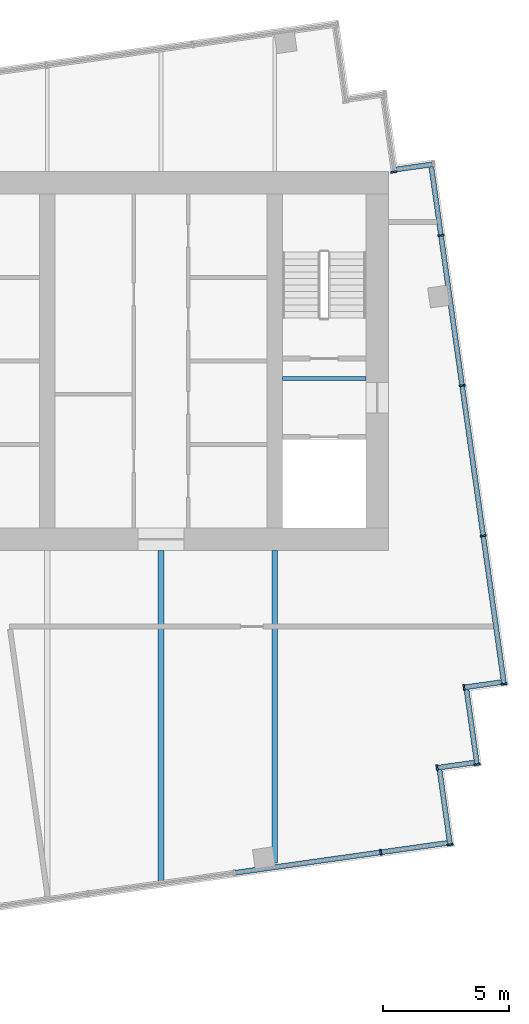
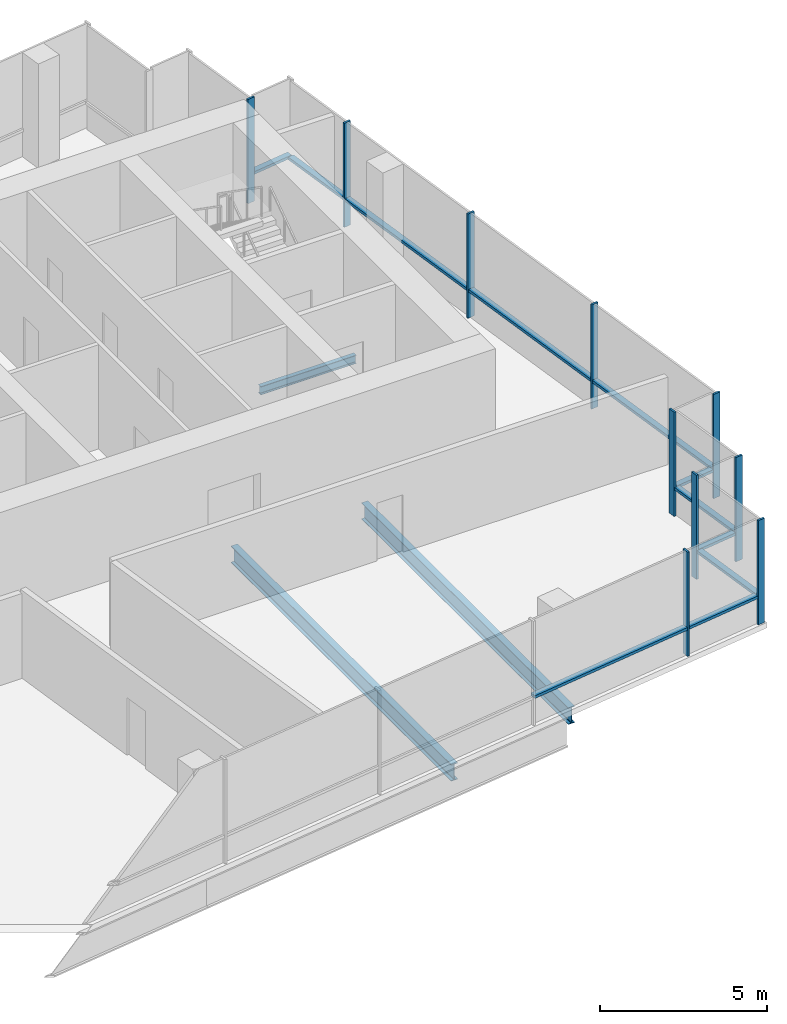
# One storey, part 4 of 10: 21 members, 3 beams, 8 elements without a shape of their own.
"""IFC4 building model written with IfcOpenShell, lengths in metres."""

from ifc_helpers import new_model, si_unit, direction, frame, origin, origin_2d, place, context, subcontext, project, spatial, rectangle, i_section, extrude, material, layer, layer_set, material_profile, profile_set, type_object, element, aggregate, save


model = new_model("IFC4")

# Units and contexts
model_context = context("Model", 3, precision=1e-05, world=origin(), true_north=direction((0.0, 1.0)))
body_context = subcontext(model_context, "Body", "Model", "MODEL_VIEW")
ifc_project = project(units=[si_unit("LENGTHUNIT", "METRE"), si_unit("AREAUNIT", "SQUARE_METRE"), si_unit("VOLUMEUNIT", "CUBIC_METRE"), si_unit("PLANEANGLEUNIT", "RADIAN"), si_unit("MASSUNIT", "GRAM", prefix="KILO")], contexts=[model_context])

# Site, building, storey
site_placement = place(None, origin())
site = spatial("IfcSite", under=ifc_project, at=site_placement, CompositionType="ELEMENT")
building_placement = place(site_placement, origin())
building = spatial("IfcBuilding", under=site, at=building_placement, Name="Rattan Terrace Tower", CompositionType="ELEMENT")
storey_placement = place(building_placement, frame((0.0, 0.0, 300.300048828125)))
storey = spatial("IfcBuildingStorey", under=building, at=storey_placement, Name="C03", CompositionType="ELEMENT", Elevation=300.300048828125)

# Beams
ifc_material_1 = material(Name="Steel S355", Category="steel")
ifc_material_profile_1 = material_profile(ifc_material_1, i_section(OverallWidth=0.14990234375, OverallDepth=0.300048828125, WebThickness=0.007080078125, FlangeThickness=0.0107421875, FilletRadius=0.014892578125, at=origin_2d()), Name="IPE 300")
ifc_profile_set_1 = profile_set([ifc_material_profile_1], Name="Steel S355")
beam_type_1 = type_object("IfcBeamType", Name="Frame floor beam IPE 300", PredefinedType="JOIST", material=ifc_profile_set_1)
beam_1_placement = place(storey_placement, frame((13.800048828125, -0.695068359375, -0.35009765625), z_axis=(1.0, 0.0, 0.0), x_axis=(0.0, 1.0, 0.0)))
element("IfcBeam", 1, at=beam_1_placement, inside=storey, type_object=beam_type_1, Name="bm-C03-002", PredefinedType="JOIST", context=body_context, shape_type="SweptSolid", body=[
    extrude(i_section(OverallWidth=0.14990234375, OverallDepth=0.300048828125, WebThickness=0.007080078125, FlangeThickness=0.0107421875, FilletRadius=0.014892578125, at=origin_2d()), origin(), (0.0, 0.0, 1.0), 3.300048828125),
])
ifc_material_2 = material(Name="Steel S355", Category="steel")
ifc_material_profile_2 = material_profile(ifc_material_2, i_section(OverallWidth=0.219970703125, OverallDepth=0.60009765625, WebThickness=0.011962890625, FlangeThickness=0.01904296875, FilletRadius=0.02392578125, at=origin_2d()), Name="IPE 600")
ifc_profile_set_2 = profile_set([ifc_material_profile_2], Name="Steel S355")
beam_type_2 = type_object("IfcBeamType", Name="Frame floor beam IPE 600", PredefinedType="JOIST", material=ifc_profile_set_2)
beam_2_placement = place(storey_placement, frame((13.5, -19.846923828125, -0.5), z_axis=(0.0, 1.0, 0.0), x_axis=(-1.0, 0.0, 0.0)))
element("IfcBeam", 2, at=beam_2_placement, inside=storey, type_object=beam_type_2, Name="bm-C03-008", PredefinedType="JOIST", context=body_context, shape_type="SweptSolid", body=[
    extrude(i_section(OverallWidth=0.219970703125, OverallDepth=0.60009765625, WebThickness=0.011962890625, FlangeThickness=0.01904296875, FilletRadius=0.02392578125, at=origin_2d()), origin(), (0.0, 0.0, 1.0), 12.346923828125),
])
ifc_material_3 = material(Name="Steel S355", Category="steel")
ifc_material_profile_3 = material_profile(ifc_material_3, i_section(OverallWidth=0.22412109375, OverallDepth=0.610107421875, WebThickness=0.014892578125, FlangeThickness=0.02392578125, FilletRadius=0.02392578125, at=origin_2d()), Name="IPE O 600")
ifc_profile_set_3 = profile_set([ifc_material_profile_3], Name="Steel S355")
beam_type_3 = type_object("IfcBeamType", Name="Frame floor beam IPE O 600", PredefinedType="JOIST", material=ifc_profile_set_3)
beam_3_placement = place(storey_placement, frame((9.0, -20.64501953125, -0.505126953125), z_axis=(0.0, 1.0, 0.0), x_axis=(-1.0, 0.0, 0.0)))
element("IfcBeam", 3, at=beam_3_placement, inside=storey, type_object=beam_type_3, Name="bm-C03-007", PredefinedType="JOIST", context=body_context, shape_type="SweptSolid", body=[
    extrude(i_section(OverallWidth=0.22412109375, OverallDepth=0.610107421875, WebThickness=0.014892578125, FlangeThickness=0.02392578125, FilletRadius=0.02392578125, at=origin_2d()), origin(), (0.0, 0.0, 1.0), 13.14501953125),
])

# Curtain wall, member
ifc_material_4 = material(Name="Aluminium and laminated glass", Category="aluminium")
ifc_layer = layer(ifc_material_4, 0.239990234375)
ifc_layer_set = layer_set([ifc_layer], Name="Lantern Stick Curtain Wall")
curtain_wall_type = type_object("IfcCurtainWallType", Name="Lantern Stick Curtain Wall", PredefinedType="NOTDEFINED", material=ifc_layer_set)
curtain_wall_1_placement = place(storey_placement, origin())
curtain_wall_1 = element("IfcCurtainWall", 4, at=curtain_wall_1_placement, inside=storey, type_object=curtain_wall_type, Name="Lantern curtain wall C03-6", PredefinedType="NOTDEFINED")
ifc_material_5 = material(Name="Aluminium", Category="aluminium")
ifc_material_profile_4 = material_profile(ifc_material_5, rectangle(XDim=0.070068359375, YDim=0.239990234375, at=origin_2d()), Name="Aluminium 70x240")
ifc_profile_set_4 = profile_set([ifc_material_profile_4], Name="Aluminium")
member_type_1 = type_object("IfcMemberType", Name="Lantern CW Mullion 70x240", PredefinedType="MULLION", material=ifc_profile_set_4)
member_1_placement = place(storey_placement, frame((17.69189453125, -19.433837890625, 0.0), z_axis=(0.0, 0.0, 1.0), x_axis=(0.990266952226, 0.13918104515, 0.0)))
member_1 = element("IfcMember", 5, at=member_1_placement, type_object=member_type_1, Name="Mullion cwl-C03-006.7", PredefinedType="MULLION", context=body_context, shape_type="SweptSolid", body=[
    extrude(rectangle(XDim=0.070068359375, YDim=0.239990234375, at=origin_2d()), origin(), (0.0, 0.0, 1.0), 3.800048828125),
])

curtain_wall_2_placement = place(storey_placement, origin())
curtain_wall_2 = element("IfcCurtainWall", 6, at=curtain_wall_2_placement, inside=storey, type_object=curtain_wall_type, Name="Lantern curtain wall C03-7", PredefinedType="NOTDEFINED")
member_2_placement = place(storey_placement, frame((20.431884765625, -19.134521484375, 0.0), z_axis=(0.0, 0.0, 1.0), x_axis=(-0.139040257974, 0.990286729519, 0.0)))
member_2 = element("IfcMember", 7, at=member_2_placement, type_object=member_type_1, Name="Mullion cwl-C03-007.1", PredefinedType="MULLION", context=body_context, shape_type="SweptSolid", body=[
    extrude(rectangle(XDim=0.070068359375, YDim=0.239990234375, at=origin_2d()), origin(), (0.0, 0.0, 1.0), 3.800048828125),
])

curtain_wall_3_placement = place(storey_placement, origin())
curtain_wall_3 = element("IfcCurtainWall", 8, at=curtain_wall_3_placement, inside=storey, type_object=curtain_wall_type, Name="Lantern curtain wall C03-8", PredefinedType="NOTDEFINED")
member_3_placement = place(storey_placement, frame((19.9189453125, -16.09228515625, 0.0), z_axis=(0.0, 0.0, 1.0), x_axis=(0.990227803001, 0.139459306479, 0.0)))
member_3 = element("IfcMember", 9, at=member_3_placement, type_object=member_type_1, Name="Mullion cwl-C03-008.1", PredefinedType="MULLION", context=body_context, shape_type="SweptSolid", body=[
    extrude(rectangle(XDim=0.070068359375, YDim=0.239990234375, at=origin_2d()), origin(), (0.0, 0.0, 1.0), 3.800048828125),
])

curtain_wall_4_placement = place(storey_placement, origin())
curtain_wall_4 = element("IfcCurtainWall", 10, at=curtain_wall_4_placement, inside=storey, type_object=curtain_wall_type, Name="Lantern curtain wall C03-9", PredefinedType="NOTDEFINED")
member_4_placement = place(storey_placement, frame((21.498779296875, -15.95556640625, 0.0), z_axis=(0.0, 0.0, 1.0), x_axis=(-0.139367219175, 0.990240767803, 0.0)))
member_4 = element("IfcMember", 11, at=member_4_placement, type_object=member_type_1, Name="Mullion cwl-C03-009.1", PredefinedType="MULLION", context=body_context, shape_type="SweptSolid", body=[
    extrude(rectangle(XDim=0.070068359375, YDim=0.239990234375, at=origin_2d()), origin(), (0.0, 0.0, 1.0), 3.800048828125),
])

curtain_wall_5_placement = place(storey_placement, origin())
curtain_wall_5 = element("IfcCurtainWall", 12, at=curtain_wall_5_placement, inside=storey, type_object=curtain_wall_type, Name="Lantern curtain wall C03-10", PredefinedType="NOTDEFINED")
member_5_placement = place(storey_placement, frame((20.98486328125, -12.9130859375, 0.0), z_axis=(0.0, 0.0, 1.0), x_axis=(0.99025370695, 0.139275252184, 0.0)))
member_5 = element("IfcMember", 13, at=member_5_placement, type_object=member_type_1, Name="Mullion cwl-C03-010.1", PredefinedType="MULLION", context=body_context, shape_type="SweptSolid", body=[
    extrude(rectangle(XDim=0.070068359375, YDim=0.239990234375, at=origin_2d()), origin(), (0.0, 0.0, 1.0), 3.800048828125),
])

# Curtain wall, members
curtain_wall_6_placement = place(storey_placement, origin())
curtain_wall_6 = element("IfcCurtainWall", 14, at=curtain_wall_6_placement, inside=storey, type_object=curtain_wall_type, Name="Lantern curtain wall C03-11", PredefinedType="NOTDEFINED")
member_6_placement = place(storey_placement, frame((22.56689453125, -12.776611328125, 0.0), z_axis=(0.0, 0.0, 1.0), x_axis=(-0.139187707455, 0.990266015823, 0.0)))
member_6 = element("IfcMember", 15, at=member_6_placement, type_object=member_type_1, Name="Mullion cwl-C03-011.1", PredefinedType="MULLION", context=body_context, shape_type="SweptSolid", body=[
    extrude(rectangle(XDim=0.070068359375, YDim=0.239990234375, at=origin_2d()), origin(), (0.0, 0.0, 1.0), 3.800048828125),
])
member_7_placement = place(storey_placement, frame((21.74365234375, -6.919189453125, 0.0), z_axis=(0.0, 0.0, 1.0), x_axis=(-0.139187707455, 0.990266015823, 0.0)))
member_7 = element("IfcMember", 16, at=member_7_placement, type_object=member_type_1, Name="Mullion cwl-C03-011.2", PredefinedType="MULLION", context=body_context, shape_type="SweptSolid", body=[
    extrude(rectangle(XDim=0.070068359375, YDim=0.239990234375, at=origin_2d()), origin(), (0.0, 0.0, 1.0), 3.800048828125),
])
member_8_placement = place(storey_placement, frame((20.908447265625, -0.9775390625, 0.0), z_axis=(0.0, 0.0, 1.0), x_axis=(-0.139187707455, 0.990266015823, 0.0)))
member_8 = element("IfcMember", 17, at=member_8_placement, type_object=member_type_1, Name="Mullion cwl-C03-011.3", PredefinedType="MULLION", context=body_context, shape_type="SweptSolid", body=[
    extrude(rectangle(XDim=0.070068359375, YDim=0.239990234375, at=origin_2d()), origin(), (0.0, 0.0, 1.0), 3.800048828125),
])
member_9_placement = place(storey_placement, frame((20.0732421875, 4.964111328125, 0.0), z_axis=(0.0, 0.0, 1.0), x_axis=(-0.139187707455, 0.990266015823, 0.0)))
member_9 = element("IfcMember", 18, at=member_9_placement, type_object=member_type_1, Name="Mullion cwl-C03-011.4", PredefinedType="MULLION", context=body_context, shape_type="SweptSolid", body=[
    extrude(rectangle(XDim=0.070068359375, YDim=0.239990234375, at=origin_2d()), origin(), (0.0, 0.0, 1.0), 3.800048828125),
])

# Curtain wall, member
curtain_wall_7_placement = place(storey_placement, origin())
curtain_wall_7 = element("IfcCurtainWall", 19, at=curtain_wall_7_placement, inside=storey, type_object=curtain_wall_type, Name="Lantern curtain wall C03-13", PredefinedType="NOTDEFINED")
member_10_placement = place(storey_placement, frame((18.207275390625, 7.473876953125, 0.0), z_axis=(0.0, 0.0, 1.0), x_axis=(-0.139555918709, 0.990214191755, 0.0)))
member_10 = element("IfcMember", 20, at=member_10_placement, type_object=member_type_1, Name="Mullion cwl-C03-013.1", PredefinedType="MULLION", context=body_context, shape_type="SweptSolid", body=[
    extrude(rectangle(XDim=0.070068359375, YDim=0.239990234375, at=origin_2d()), origin(), (0.0, 0.0, 1.0), 3.800048828125),
])
aggregate(curtain_wall_7, [member_10])

# Member
ifc_material_6 = material(Name="Aluminium", Category="aluminium")
ifc_material_profile_5 = material_profile(ifc_material_6, rectangle(XDim=0.199951171875, YDim=0.10009765625, at=origin_2d()), Name="Aluminium 200x100")
ifc_profile_set_5 = profile_set([ifc_material_profile_5], Name="Aluminium")
member_type_2 = type_object("IfcMemberType", Name="Lantern CW Transom 200x100", PredefinedType="USERDEFINED", material=ifc_profile_set_5)
member_11_placement = place(storey_placement, frame((11.9375, -20.242431640625, 1.0), z_axis=(0.99027150937, 0.139148617417, 0.0), x_axis=(-0.139148617417, 0.99027150937, 0.0)))
member_11 = element("IfcMember", 21, at=member_11_placement, type_object=member_type_2, Name="Transom cwl-C03-006.6", ObjectType="TRANSOM", PredefinedType="USERDEFINED", context=body_context, shape_type="SweptSolid", body=[
    extrude(rectangle(XDim=0.199951171875, YDim=0.10009765625, at=origin_2d()), origin(), (0.0, 0.0, 1.0), 5.77587890625),
])

member_12_placement = place(storey_placement, frame((17.7265625, -19.428955078125, 1.0), z_axis=(0.990256983473, 0.139251953963, 0.0), x_axis=(-0.139251953963, 0.990256983473, 0.0)))
member_12 = element("IfcMember", 22, at=member_12_placement, type_object=member_type_2, Name="Transom cwl-C03-006.7", ObjectType="TRANSOM", PredefinedType="USERDEFINED", context=body_context, shape_type="SweptSolid", body=[
    extrude(rectangle(XDim=0.199951171875, YDim=0.10009765625, at=origin_2d()), origin(), (0.0, 0.0, 1.0), 2.60009765625),
])

aggregate(curtain_wall_1, [member_1, member_11, member_12])

member_13_placement = place(storey_placement, frame((20.427001953125, -19.099853515625, 1.0), z_axis=(-0.139028781454, 0.990288340801, 0.0), x_axis=(-0.990288340801, -0.139028781454, 0.0)))
member_13 = element("IfcMember", 23, at=member_13_placement, type_object=member_type_2, Name="Transom cwl-C03-007.1", ObjectType="TRANSOM", PredefinedType="USERDEFINED", context=body_context, shape_type="SweptSolid", body=[
    extrude(rectangle(XDim=0.199951171875, YDim=0.10009765625, at=origin_2d()), origin(), (0.0, 0.0, 1.0), 2.92919921875),
])

aggregate(curtain_wall_2, [member_2, member_13])

member_14_placement = place(storey_placement, frame((19.95361328125, -16.08740234375, 1.0), z_axis=(0.990227834808, 0.139459080636, 0.0), x_axis=(-0.139459080636, 0.990227834808, 0.0)))
member_14 = element("IfcMember", 24, at=member_14_placement, type_object=member_type_2, Name="Transom cwl-C03-008.1", ObjectType="TRANSOM", PredefinedType="USERDEFINED", context=body_context, shape_type="SweptSolid", body=[
    extrude(rectangle(XDim=0.199951171875, YDim=0.10009765625, at=origin_2d()), origin(), (0.0, 0.0, 1.0), 1.428466796875),
])

aggregate(curtain_wall_3, [member_3, member_14])

member_15_placement = place(storey_placement, frame((21.493896484375, -15.9208984375, 1.0), z_axis=(-0.139355716724, 0.990242386599, 0.0), x_axis=(-0.990242386599, -0.139355716724, 0.0)))
member_15 = element("IfcMember", 25, at=member_15_placement, type_object=member_type_2, Name="Transom cwl-C03-009.1", ObjectType="TRANSOM", PredefinedType="USERDEFINED", context=body_context, shape_type="SweptSolid", body=[
    extrude(rectangle(XDim=0.199951171875, YDim=0.10009765625, at=origin_2d()), origin(), (0.0, 0.0, 1.0), 2.92919921875),
])

aggregate(curtain_wall_4, [member_4, member_15])

member_16_placement = place(storey_placement, frame((21.01953125, -12.908203125, 1.0), z_axis=(0.990257681856, 0.139246987488, 0.0), x_axis=(-0.139246987488, 0.990257681856, 0.0)))
member_16 = element("IfcMember", 26, at=member_16_placement, type_object=member_type_2, Name="Transom cwl-C03-010.1", ObjectType="TRANSOM", PredefinedType="USERDEFINED", context=body_context, shape_type="SweptSolid", body=[
    extrude(rectangle(XDim=0.199951171875, YDim=0.10009765625, at=origin_2d()), origin(), (0.0, 0.0, 1.0), 1.4306640625),
])

aggregate(curtain_wall_5, [member_5, member_16])

member_17_placement = place(storey_placement, frame((22.56201171875, -12.741943359375, 1.0), z_axis=(-0.139216432116, 0.990261977978, 0.0), x_axis=(-0.990261977978, -0.139216432116, 0.0)))
member_17 = element("IfcMember", 27, at=member_17_placement, type_object=member_type_2, Name="Transom cwl-C03-011.1", ObjectType="TRANSOM", PredefinedType="USERDEFINED", context=body_context, shape_type="SweptSolid", body=[
    extrude(rectangle(XDim=0.199951171875, YDim=0.10009765625, at=origin_2d()), origin(), (0.0, 0.0, 1.0), 5.844970703125),
])

member_18_placement = place(storey_placement, frame((21.73876953125, -6.884521484375, 1.0), z_axis=(-0.139196165956, 0.990264826894, 0.0), x_axis=(-0.990264826894, -0.139196165956, 0.0)))
member_18 = element("IfcMember", 28, at=member_18_placement, type_object=member_type_2, Name="Transom cwl-C03-011.2", ObjectType="TRANSOM", PredefinedType="USERDEFINED", context=body_context, shape_type="SweptSolid", body=[
    extrude(rectangle(XDim=0.199951171875, YDim=0.10009765625, at=origin_2d()), origin(), (0.0, 0.0, 1.0), 5.929931640625),
])

member_19_placement = place(storey_placement, frame((20.903564453125, -0.94287109375, 1.0), z_axis=(-0.139196165956, 0.990264826894, 0.0), x_axis=(-0.990264826894, -0.139196165956, 0.0)))
member_19 = element("IfcMember", 29, at=member_19_placement, type_object=member_type_2, Name="Transom cwl-C03-011.3", ObjectType="TRANSOM", PredefinedType="USERDEFINED", context=body_context, shape_type="SweptSolid", body=[
    extrude(rectangle(XDim=0.199951171875, YDim=0.10009765625, at=origin_2d()), origin(), (0.0, 0.0, 1.0), 5.929931640625),
])

member_20_placement = place(storey_placement, frame((20.068359375, 4.998779296875, 1.0), z_axis=(-0.139159755343, 0.990269944254, 0.0), x_axis=(-0.990269944254, -0.139159755343, 0.0)))
member_20 = element("IfcMember", 30, at=member_20_placement, type_object=member_type_2, Name="Transom cwl-C03-011.4", ObjectType="TRANSOM", PredefinedType="USERDEFINED", context=body_context, shape_type="SweptSolid", body=[
    extrude(rectangle(XDim=0.199951171875, YDim=0.10009765625, at=origin_2d()), origin(), (0.0, 0.0, 1.0), 2.675537109375),
])

aggregate(curtain_wall_6, [member_6, member_7, member_8, member_9, member_17, member_18, member_19, member_20])

# Curtain wall, member
curtain_wall_8_placement = place(storey_placement, origin())
curtain_wall_8 = element("IfcCurtainWall", 31, at=curtain_wall_8_placement, inside=storey, type_object=curtain_wall_type, Name="Lantern curtain wall C03-12", PredefinedType="NOTDEFINED")
member_21_placement = place(storey_placement, frame((19.728759765625, 7.77392578125, 1.0), z_axis=(-0.990227834808, -0.139459080636, 0.0), x_axis=(0.139459080636, -0.990227834808, 0.0)))
member_21 = element("IfcMember", 32, at=member_21_placement, type_object=member_type_2, Name="Transom cwl-C03-012.1", ObjectType="TRANSOM", PredefinedType="USERDEFINED", context=body_context, shape_type="SweptSolid", body=[
    extrude(rectangle(XDim=0.199951171875, YDim=0.10009765625, at=origin_2d()), origin(), (0.0, 0.0, 1.0), 1.428466796875),
])
aggregate(curtain_wall_8, [member_21])

save(model, "model.ifc")
